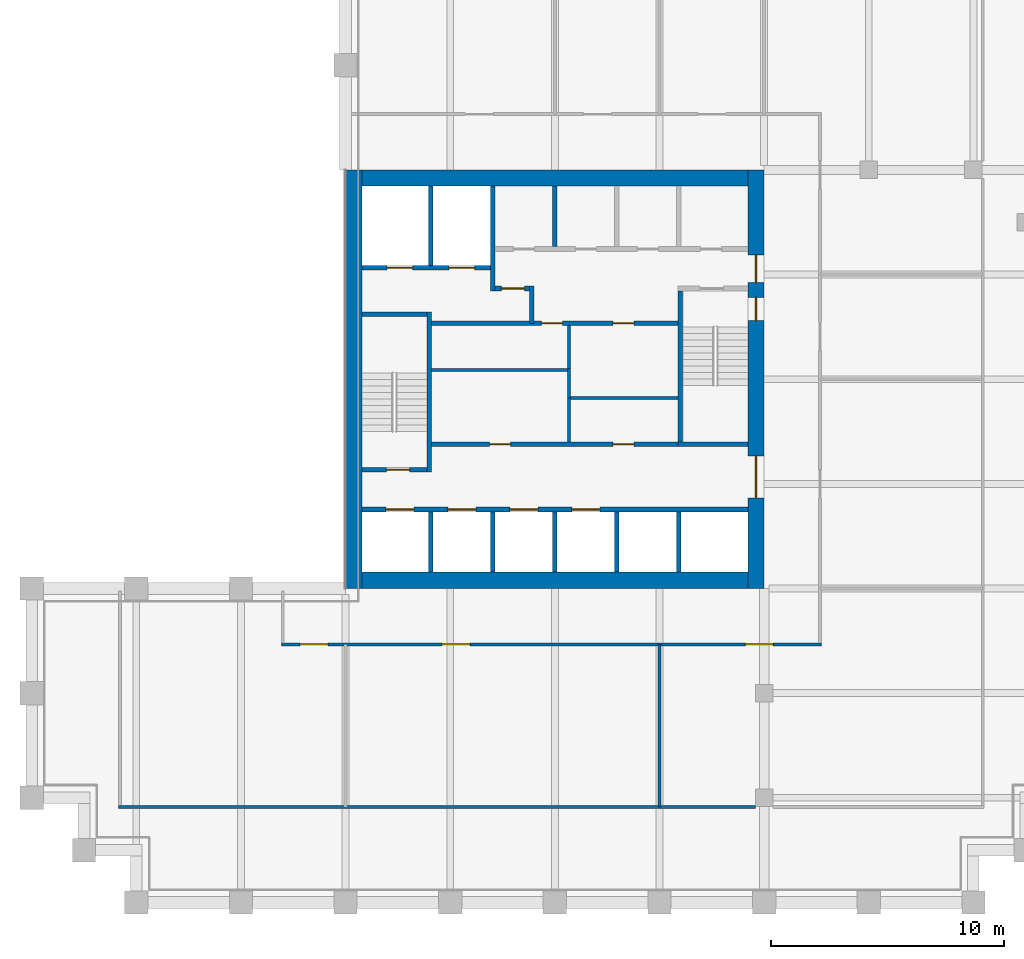
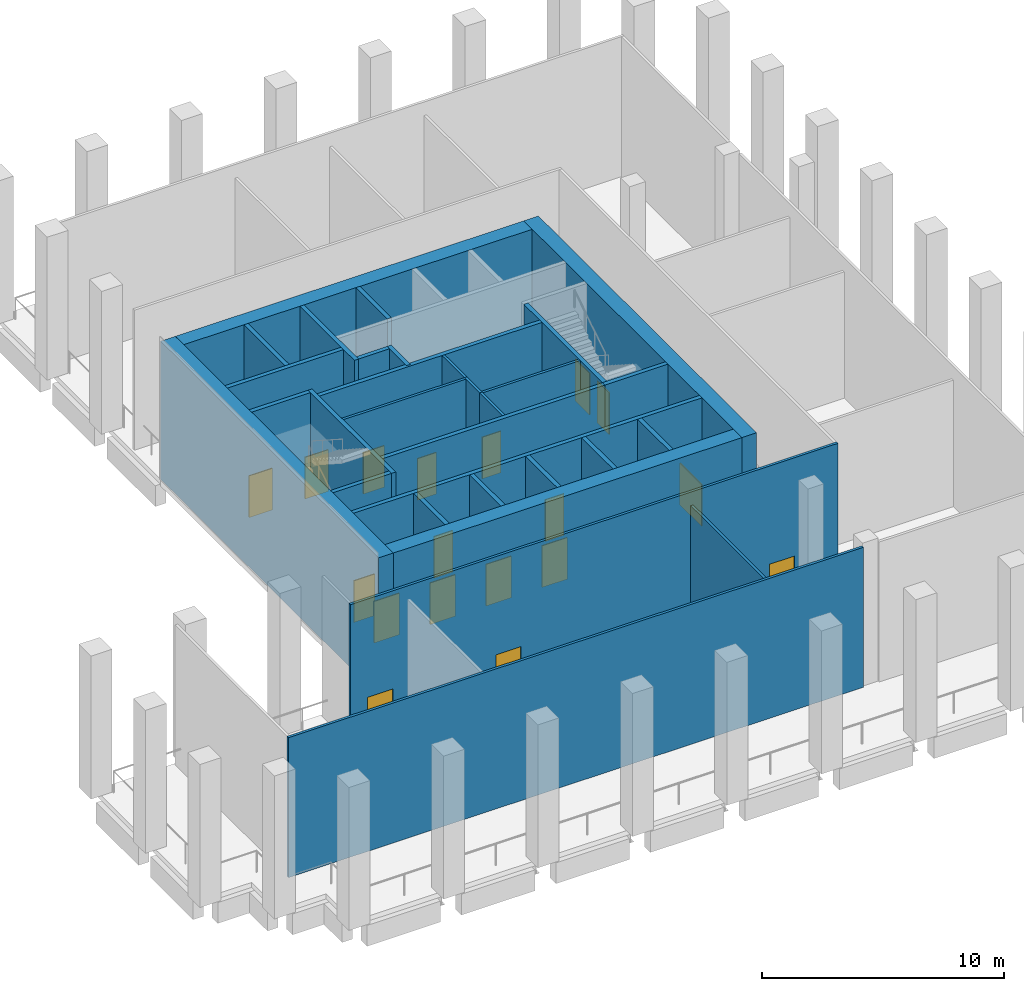
# One storey, part 3 of 9: 31 walls, 18 doors, 18 openings.
"""IFC4 building model written with IfcOpenShell, lengths in metres."""

from ifc_helpers import new_model, si_unit, direction, frame, frame_2d, origin, place, context, subcontext, project, spatial, rectangle, extrude, material, layer, layer_set, type_object, element, fill, save


model = new_model("IFC4")

# Units and contexts
model_context = context("Model", 3, precision=1e-05, world=origin(), true_north=direction((0.0, 1.0)))
body_context = subcontext(model_context, "Body", "Model", "MODEL_VIEW")
ifc_project = project(units=[si_unit("LENGTHUNIT", "METRE"), si_unit("AREAUNIT", "SQUARE_METRE"), si_unit("VOLUMEUNIT", "CUBIC_METRE"), si_unit("PLANEANGLEUNIT", "RADIAN"), si_unit("MASSUNIT", "GRAM", prefix="KILO")], contexts=[model_context])

# Site, building, storey
site_placement = place(None, origin())
site = spatial("IfcSite", under=ifc_project, at=site_placement, CompositionType="ELEMENT")
building_placement = place(site_placement, origin())
building = spatial("IfcBuilding", under=site, at=building_placement, Name="Altepetl Exchange Towers", CompositionType="ELEMENT")
storey_placement = place(building_placement, frame((0.0, 0.0, 113.60009765625)))
storey = spatial("IfcBuildingStorey", under=building, at=storey_placement, Name="L28 Wind floor plant", CompositionType="ELEMENT", Elevation=113.60009765625)

# Wall, openings, doors
ifc_material_1 = material(Name="Concrete C70/85", Category="concrete")
ifc_layer_1 = layer(ifc_material_1, 0.699951171875)
ifc_layer_set_1 = layer_set([ifc_layer_1], Name="Concrete C70/85")
wall_type_1 = type_object("IfcWallType", Name="Core wall 700 reinforced concrete", PredefinedType="SHEAR", material=ifc_layer_set_1)
wall_1_placement = place(storey_placement, frame((58.14990234375, 40.5, 0.0), z_axis=(0.0, 0.0, 1.0), x_axis=(0.0, 1.0, 0.0)))
wall_1 = element("IfcWall", 1, at=wall_1_placement, inside=storey, type_object=wall_type_1, Name="wall:A:L28:K-coreE", PredefinedType="SHEAR", context=body_context, shape_type="SweptSolid", body=[
    extrude(rectangle(XDim=18.0, YDim=0.699951171875, at=frame_2d((9.0, 0.0))), origin(), (0.0, 0.0, 1.0), 6.949951171875),
])
opening_1_placement = place(wall_1_placement, frame((13.14990234375, 0.0, 0.0)))
opening_1 = element("IfcOpeningElement", 2, at=opening_1_placement, cuts=wall_1, Name="Opening L28.A60", PredefinedType="OPENING", context=body_context, shape_type="SweptSolid", body=[
    extrude(rectangle(XDim=1.199951171875, YDim=2.10009765625, at=frame_2d((0.60009765625, 1.050048828125))), frame((0.0, 0.35986328125, 0.0), z_axis=(0.0, -1.0, 0.0), x_axis=(1.0, 0.0, 0.0)), (0.0, 0.0, 1.0), 0.719970703125),
])
opening_2_placement = place(wall_1_placement, frame((3.89990234375, 0.0, 0.0)))
opening_2 = element("IfcOpeningElement", 3, at=opening_2_placement, cuts=wall_1, Name="Opening L28.A61", PredefinedType="OPENING", context=body_context, shape_type="SweptSolid", body=[
    extrude(rectangle(XDim=1.800048828125, YDim=2.10009765625, at=frame_2d((0.89990234375, 1.050048828125))), frame((0.0, 0.35986328125, 0.0), z_axis=(0.0, -1.0, 0.0), x_axis=(1.0, 0.0, 0.0)), (0.0, 0.0, 1.0), 0.719970703125),
])
opening_3_placement = place(wall_1_placement, frame((11.52490234375, 0.0, 0.0)))
opening_3 = element("IfcOpeningElement", 4, at=opening_3_placement, cuts=wall_1, Name="Opening L28.A64", PredefinedType="OPENING", context=body_context, shape_type="SweptSolid", body=[
    extrude(rectangle(XDim=1.0, YDim=2.10009765625, at=frame_2d((0.5, 1.050048828125))), frame((0.0, 0.35986328125, 0.0), z_axis=(0.0, -1.0, 0.0), x_axis=(1.0, 0.0, 0.0)), (0.0, 0.0, 1.0), 0.719970703125),
])
ifc_material_2 = material(Name="Steel and timber fire door", Category="steel")
door_type_1 = type_object("IfcDoorType", Name="Fire door 1000 x 2100 stair and lobby", OperationType="SINGLE_SWING_LEFT", PredefinedType="DOOR", material=ifc_material_2)
door_1_placement = place(opening_3_placement, origin())
door_1 = element("IfcDoor", 5, at=door_1_placement, inside=storey, type_object=door_type_1, Name="door:A:L28:K-dS2x", OperationType="SINGLE_SWING_RIGHT", OverallHeight=2.10009765625, OverallWidth=1.0, PredefinedType="DOOR", context=body_context, shape_type="SweptSolid", body=[
    extrude(rectangle(XDim=1.0, YDim=2.10009765625, at=frame_2d((0.5, 1.050048828125))), frame((0.0, 0.02490234375, 0.0), z_axis=(0.0, -1.0, 0.0), x_axis=(1.0, 0.0, 0.0)), (0.0, 0.0, 1.0), 0.050048828125),
])
fill(opening_3, door_1)
door_type_2 = type_object("IfcDoorType", Name="Fire door 1200 x 2100 lobby entry", OperationType="SINGLE_SWING_LEFT", PredefinedType="DOOR", material=ifc_material_2)
door_2_placement = place(opening_1_placement, origin())
door_2 = element("IfcDoor", 6, at=door_2_placement, inside=storey, type_object=door_type_2, Name="door:A:L28:K-dLNE", OperationType="SINGLE_SWING_RIGHT", OverallHeight=2.10009765625, OverallWidth=1.199951171875, PredefinedType="DOOR", context=body_context, shape_type="SweptSolid", body=[
    extrude(rectangle(XDim=1.199951171875, YDim=2.10009765625, at=frame_2d((0.60009765625, 1.050048828125))), frame((0.0, 0.02490234375, 0.0), z_axis=(0.0, -1.0, 0.0), x_axis=(1.0, 0.0, 0.0)), (0.0, 0.0, 1.0), 0.050048828125),
])
fill(opening_1, door_2)
door_type_3 = type_object("IfcDoorType", Name="Fire door 1800 x 2100 lobby entry", OperationType="DOUBLE_DOOR_SINGLE_SWING", PredefinedType="DOOR", material=ifc_material_2)
door_3_placement = place(opening_2_placement, origin())
door_3 = element("IfcDoor", 7, at=door_3_placement, inside=storey, type_object=door_type_3, Name="door:A:L28:K-dLSE", OperationType="DOUBLE_DOOR_SINGLE_SWING", OverallHeight=2.10009765625, OverallWidth=1.800048828125, PredefinedType="DOOR", context=body_context, shape_type="SweptSolid", body=[
    extrude(rectangle(XDim=1.800048828125, YDim=2.10009765625, at=frame_2d((0.89990234375, 1.050048828125))), frame((0.0, 0.02490234375, 0.0), z_axis=(0.0, -1.0, 0.0), x_axis=(1.0, 0.0, 0.0)), (0.0, 0.0, 1.0), 0.050048828125),
])
fill(opening_2, door_3)

# Walls
for number, where, name in (
    (8, (41.199951171875, 58.14990234375, 0.0), "wall:A:L28:K-coreN"),
    (9, (41.199951171875, 40.85009765625, 0.0), "wall:A:L28:K-coreS"),
):
    element("IfcWall", number, at=place(storey_placement, frame(where)), inside=storey, type_object=wall_type_1, Name=name, PredefinedType="SHEAR", context=body_context, shape_type="SweptSolid", body=[
        extrude(rectangle(XDim=16.60009765625, YDim=0.699951171875, at=frame_2d((8.300048828125, 0.0))), origin(), (0.0, 0.0, 1.0), 6.949951171875),
    ])
ifc_layer_2 = layer(ifc_material_1, 0.699951171875)
ifc_layer_set_2 = layer_set([ifc_layer_2], Name="Concrete C70/85")
wall_type_2 = type_object("IfcWallType", Name="Core wall 700 reinforced concrete external", PredefinedType="SHEAR", material=ifc_layer_set_2)
wall_2_placement = place(storey_placement, frame((40.85009765625, 40.5, 0.0), z_axis=(0.0, 0.0, 1.0), x_axis=(0.0, 1.0, 0.0)))
element("IfcWall", 10, at=wall_2_placement, inside=storey, type_object=wall_type_2, Name="wall:A:L28:K-coreW", PredefinedType="SHEAR", context=body_context, shape_type="SweptSolid", body=[
    extrude(rectangle(XDim=18.0, YDim=0.699951171875, at=frame_2d((9.0, 0.0))), origin(), (0.0, 0.0, 1.0), 6.949951171875),
])
ifc_material_3 = material(Name="Concrete blockwork", Category="masonry")
ifc_layer_3 = layer(ifc_material_3, 0.199951171875)
ifc_layer_set_3 = layer_set([ifc_layer_3], Name="Concrete blockwork")
wall_type_3 = type_object("IfcWallType", Name="Lobby wall 200 blockwork", PredefinedType="PARTITIONING", material=ifc_layer_set_3)
wall_3_placement = place(storey_placement, frame((48.5, 51.89990234375, 0.0), z_axis=(0.0, 0.0, 1.0), x_axis=(0.0, 1.0, 0.0)))
element("IfcWall", 11, at=wall_3_placement, inside=storey, type_object=wall_type_3, Name="wall:A:L28:K-ffE", PredefinedType="PARTITIONING", context=body_context, shape_type="SweptSolid", body=[
    extrude(rectangle(XDim=1.60009765625, YDim=0.199951171875, at=frame_2d((0.800048828125, 0.0))), origin(), (0.0, 0.0, 1.0), 6.949951171875),
])

# Wall, opening, door
wall_4_placement = place(storey_placement, frame((46.933349609375, 53.39990234375, 0.0)))
wall_4 = element("IfcWall", 12, at=wall_4_placement, inside=storey, type_object=wall_type_3, Name="wall:A:L28:K-ffN", PredefinedType="PARTITIONING", context=body_context, shape_type="SweptSolid", body=[
    extrude(rectangle(XDim=1.466552734375, YDim=0.199951171875, at=frame_2d((0.7333984375, 0.0))), origin(), (0.0, 0.0, 1.0), 6.949951171875),
])
opening_4_placement = place(wall_4_placement, frame((0.2666015625, 0.0, 0.0)))
opening_4 = element("IfcOpeningElement", 13, at=opening_4_placement, cuts=wall_4, Name="Opening L28.A65", PredefinedType="OPENING", context=body_context, shape_type="SweptSolid", body=[
    extrude(rectangle(XDim=1.0, YDim=2.10009765625, at=frame_2d((0.5, 1.050048828125))), frame((0.0, 0.10986328125, 0.0), z_axis=(0.0, -1.0, 0.0), x_axis=(1.0, 0.0, 0.0)), (0.0, 0.0, 1.0), 0.219970703125),
])
door_4_placement = place(opening_4_placement, frame((1.0, 0.0, 0.0), x_axis=(-1.0, 0.0, 0.0)))
door_4 = element("IfcDoor", 14, at=door_4_placement, inside=storey, type_object=door_type_1, Name="door:A:L28:K-dffN", OperationType="SINGLE_SWING_RIGHT", OverallHeight=2.10009765625, OverallWidth=1.0, PredefinedType="DOOR", context=body_context, shape_type="SweptSolid", body=[
    extrude(rectangle(XDim=1.0, YDim=2.10009765625, at=frame_2d((0.5, 1.050048828125))), frame((0.0, 0.02490234375, 0.0), z_axis=(0.0, -1.0, 0.0), x_axis=(1.0, 0.0, 0.0)), (0.0, 0.0, 1.0), 0.050048828125),
])
fill(opening_4, door_4)

# Wall, openings, doors
wall_5_placement = place(storey_placement, frame((44.199951171875, 51.89990234375, 0.0)))
wall_5 = element("IfcWall", 15, at=wall_5_placement, inside=storey, type_object=wall_type_3, Name="wall:A:L28:K-zoneN", PredefinedType="PARTITIONING", context=body_context, shape_type="SweptSolid", body=[
    extrude(rectangle(XDim=10.60009765625, YDim=0.199951171875, at=frame_2d((5.300048828125, 0.0))), origin(), (0.0, 0.0, 1.0), 6.949951171875),
])
opening_5_placement = place(wall_5_placement, frame((4.72509765625, 0.0, 0.0)))
opening_5 = element("IfcOpeningElement", 16, at=opening_5_placement, cuts=wall_5, Name="Opening L28.A71", PredefinedType="OPENING", context=body_context, shape_type="SweptSolid", body=[
    extrude(rectangle(XDim=0.89990234375, YDim=2.10009765625, at=frame_2d((0.449951171875, 1.050048828125))), frame((0.0, 0.10986328125, 0.0), z_axis=(0.0, -1.0, 0.0), x_axis=(1.0, 0.0, 0.0)), (0.0, 0.0, 1.0), 0.219970703125),
])
opening_6_placement = place(wall_5_placement, frame((7.800048828125, 0.0, 0.0)))
opening_6 = element("IfcOpeningElement", 17, at=opening_6_placement, cuts=wall_5, Name="Opening L28.A73", PredefinedType="OPENING", context=body_context, shape_type="SweptSolid", body=[
    extrude(rectangle(XDim=0.89990234375, YDim=2.10009765625, at=frame_2d((0.449951171875, 1.050048828125))), frame((0.0, 0.10986328125, 0.0), z_axis=(0.0, -1.0, 0.0), x_axis=(1.0, 0.0, 0.0)), (0.0, 0.0, 1.0), 0.219970703125),
])
door_type_4 = type_object("IfcDoorType", Name="Fire door 900 x 2100 service room", OperationType="SINGLE_SWING_LEFT", PredefinedType="DOOR", material=ifc_material_2)
door_5_placement = place(opening_5_placement, frame((0.89990234375, 0.0, 0.0), x_axis=(-1.0, 0.0, 0.0)))
door_5 = element("IfcDoor", 18, at=door_5_placement, inside=storey, type_object=door_type_4, Name="door:A:L28:K-dz2", OperationType="SINGLE_SWING_RIGHT", OverallHeight=2.10009765625, OverallWidth=0.89990234375, PredefinedType="DOOR", context=body_context, shape_type="SweptSolid", body=[
    extrude(rectangle(XDim=0.89990234375, YDim=2.10009765625, at=frame_2d((0.449951171875, 1.050048828125))), frame((0.0, 0.02490234375, 0.0), z_axis=(0.0, -1.0, 0.0), x_axis=(1.0, 0.0, 0.0)), (0.0, 0.0, 1.0), 0.050048828125),
])
fill(opening_5, door_5)
door_6_placement = place(opening_6_placement, frame((0.89990234375, 0.0, 0.0), x_axis=(-1.0, 0.0, 0.0)))
door_6 = element("IfcDoor", 19, at=door_6_placement, inside=storey, type_object=door_type_4, Name="door:A:L28:K-dz4", OperationType="SINGLE_SWING_LEFT", OverallHeight=2.10009765625, OverallWidth=0.89990234375, PredefinedType="DOOR", context=body_context, shape_type="SweptSolid", body=[
    extrude(rectangle(XDim=0.89990234375, YDim=2.10009765625, at=frame_2d((0.449951171875, 1.050048828125))), frame((0.0, 0.02490234375, 0.0), z_axis=(0.0, -1.0, 0.0), x_axis=(1.0, 0.0, 0.0)), (0.0, 0.0, 1.0), 0.050048828125),
])
fill(opening_6, door_6)

wall_6_placement = place(storey_placement, frame((44.199951171875, 46.699951171875, 0.0)))
wall_6 = element("IfcWall", 20, at=wall_6_placement, inside=storey, type_object=wall_type_3, Name="wall:A:L28:K-zoneS", PredefinedType="PARTITIONING", context=body_context, shape_type="SweptSolid", body=[
    extrude(rectangle(XDim=10.60009765625, YDim=0.199951171875, at=frame_2d((5.300048828125, 0.0))), origin(), (0.0, 0.0, 1.0), 6.949951171875),
])
opening_7_placement = place(wall_6_placement, frame((2.5, 0.0, 0.0)))
opening_7 = element("IfcOpeningElement", 21, at=opening_7_placement, cuts=wall_6, Name="Opening L28.A70", PredefinedType="OPENING", context=body_context, shape_type="SweptSolid", body=[
    extrude(rectangle(XDim=0.89990234375, YDim=2.10009765625, at=frame_2d((0.449951171875, 1.050048828125))), frame((0.0, 0.10986328125, 0.0), z_axis=(0.0, -1.0, 0.0), x_axis=(1.0, 0.0, 0.0)), (0.0, 0.0, 1.0), 0.219970703125),
])
opening_8_placement = place(wall_6_placement, frame((7.800048828125, 0.0, 0.0)))
opening_8 = element("IfcOpeningElement", 22, at=opening_8_placement, cuts=wall_6, Name="Opening L28.A72", PredefinedType="OPENING", context=body_context, shape_type="SweptSolid", body=[
    extrude(rectangle(XDim=0.89990234375, YDim=2.10009765625, at=frame_2d((0.449951171875, 1.050048828125))), frame((0.0, 0.10986328125, 0.0), z_axis=(0.0, -1.0, 0.0), x_axis=(1.0, 0.0, 0.0)), (0.0, 0.0, 1.0), 0.219970703125),
])
door_7_placement = place(opening_7_placement, origin())
door_7 = element("IfcDoor", 23, at=door_7_placement, inside=storey, type_object=door_type_4, Name="door:A:L28:K-dz1", OperationType="SINGLE_SWING_RIGHT", OverallHeight=2.10009765625, OverallWidth=0.89990234375, PredefinedType="DOOR", context=body_context, shape_type="SweptSolid", body=[
    extrude(rectangle(XDim=0.89990234375, YDim=2.10009765625, at=frame_2d((0.449951171875, 1.050048828125))), frame((0.0, 0.02490234375, 0.0), z_axis=(0.0, -1.0, 0.0), x_axis=(1.0, 0.0, 0.0)), (0.0, 0.0, 1.0), 0.050048828125),
])
fill(opening_7, door_7)
door_8_placement = place(opening_8_placement, origin())
door_8 = element("IfcDoor", 24, at=door_8_placement, inside=storey, type_object=door_type_4, Name="door:A:L28:K-dz3", OperationType="SINGLE_SWING_RIGHT", OverallHeight=2.10009765625, OverallWidth=0.89990234375, PredefinedType="DOOR", context=body_context, shape_type="SweptSolid", body=[
    extrude(rectangle(XDim=0.89990234375, YDim=2.10009765625, at=frame_2d((0.449951171875, 1.050048828125))), frame((0.0, 0.02490234375, 0.0), z_axis=(0.0, -1.0, 0.0), x_axis=(1.0, 0.0, 0.0)), (0.0, 0.0, 1.0), 0.050048828125),
])
fill(opening_8, door_8)

# Walls
ifc_material_4 = material(Name="Gypsum board on steel studs", Category="steel")
ifc_layer_4 = layer(ifc_material_4, 0.125)
ifc_layer_set_4 = layer_set([ifc_layer_4], Name="Gypsum board on steel studs")
wall_type_4 = type_object("IfcWallType", Name="Partition 125 gypsum board on steel studs", PredefinedType="PARTITIONING", material=ifc_layer_set_4)
wall_7_placement = place(storey_placement, frame((50.10009765625, 46.800048828125, 0.0), z_axis=(0.0, 0.0, 1.0), x_axis=(0.0, 1.0, 0.0)))
element("IfcWall", 25, at=wall_7_placement, inside=storey, type_object=wall_type_4, Name="wall:A:L28:K-zp1", PredefinedType="PARTITIONING", context=body_context, shape_type="SweptSolid", body=[
    extrude(rectangle(XDim=1.96240234375, YDim=0.125, at=frame_2d((0.981201171875, 0.0))), origin(), (0.0, 0.0, 1.0), 6.949951171875),
])
wall_8_placement = place(storey_placement, frame((54.800048828125, 48.699951171875, 0.0), z_axis=(0.0, 0.0, 1.0), x_axis=(-1.0, 0.0, 0.0)))
element("IfcWall", 26, at=wall_8_placement, inside=storey, type_object=wall_type_4, Name="wall:A:L28:K-zp2", PredefinedType="PARTITIONING", context=body_context, shape_type="SweptSolid", body=[
    extrude(rectangle(XDim=4.637451171875, YDim=0.125, at=frame_2d((2.31884765625, 0.0))), origin(), (0.0, 0.0, 1.0), 6.949951171875),
])
wall_9_placement = place(storey_placement, frame((50.10009765625, 48.699951171875, 0.0), z_axis=(0.0, 0.0, 1.0), x_axis=(0.0, 1.0, 0.0)))
element("IfcWall", 27, at=wall_9_placement, inside=storey, type_object=wall_type_4, Name="wall:A:L28:K-zp3", PredefinedType="PARTITIONING", context=body_context, shape_type="SweptSolid", body=[
    extrude(rectangle(XDim=1.262451171875, YDim=0.125, at=frame_2d((0.63134765625, 0.0))), origin(), (0.0, 0.0, 1.0), 6.949951171875),
])
wall_10_placement = place(storey_placement, frame((50.03759765625, 49.89990234375, 0.0), z_axis=(0.0, 0.0, 1.0), x_axis=(-1.0, 0.0, 0.0)))
element("IfcWall", 28, at=wall_10_placement, inside=storey, type_object=wall_type_4, Name="wall:A:L28:K-zp4", PredefinedType="PARTITIONING", context=body_context, shape_type="SweptSolid", body=[
    extrude(rectangle(XDim=5.837646484375, YDim=0.125, at=frame_2d((2.9189453125, 0.0))), origin(), (0.0, 0.0, 1.0), 6.949951171875),
])
wall_11_placement = place(storey_placement, frame((50.10009765625, 49.89990234375, 0.0), z_axis=(0.0, 0.0, 1.0), x_axis=(0.0, 1.0, 0.0)))
element("IfcWall", 29, at=wall_11_placement, inside=storey, type_object=wall_type_4, Name="wall:A:L28:K-zp5", PredefinedType="PARTITIONING", context=body_context, shape_type="SweptSolid", body=[
    extrude(rectangle(XDim=1.900146484375, YDim=0.125, at=frame_2d((0.9501953125, 0.0))), origin(), (0.0, 0.0, 1.0), 6.949951171875),
])
wall_12_placement = place(storey_placement, frame((30.737548828125, 31.10009765625, 0.0)))
element("IfcWall", 30, at=wall_12_placement, inside=storey, type_object=wall_type_4, Name="wall:A:L28:P01", PredefinedType="PARTITIONING", context=body_context, shape_type="SweptSolid", body=[
    extrude(rectangle(XDim=27.387451171875, YDim=0.125, at=frame_2d((13.69384765625, 0.0))), origin(), (0.0, 0.0, 1.0), 7.0498046875),
])

# Wall, openings, doors
wall_13_placement = place(storey_placement, frame((37.737548828125, 38.10009765625, 0.0)))
wall_13 = element("IfcWall", 31, at=wall_13_placement, inside=storey, type_object=wall_type_4, Name="wall:A:L28:P03", PredefinedType="PARTITIONING", context=body_context, shape_type="SweptSolid", body=[
    extrude(rectangle(XDim=23.224853515625, YDim=0.125, at=frame_2d((11.6123046875, 0.0))), origin(), (0.0, 0.0, 1.0), 7.0498046875),
])
opening_9_placement = place(wall_13_placement, frame((0.8125, 0.0, 0.0)))
opening_9 = element("IfcOpeningElement", 32, at=opening_9_placement, cuts=wall_13, Name="Opening L28.A01", PredefinedType="OPENING", context=body_context, shape_type="SweptSolid", body=[
    extrude(rectangle(XDim=1.199951171875, YDim=2.10009765625, at=frame_2d((0.60009765625, 1.050048828125))), frame((0.0, 0.072509765625, 0.0), z_axis=(0.0, -1.0, 0.0), x_axis=(1.0, 0.0, 0.0)), (0.0, 0.0, 1.0), 0.14501953125),
])
opening_10_placement = place(wall_13_placement, frame((6.91748046875, 0.0, 0.0)))
opening_10 = element("IfcOpeningElement", 33, at=opening_10_placement, cuts=wall_13, Name="Opening L28.A02", PredefinedType="OPENING", context=body_context, shape_type="SweptSolid", body=[
    extrude(rectangle(XDim=1.199951171875, YDim=2.10009765625, at=frame_2d((0.60009765625, 1.050048828125))), frame((0.0, 0.072509765625, 0.0), z_axis=(0.0, -1.0, 0.0), x_axis=(1.0, 0.0, 0.0)), (0.0, 0.0, 1.0), 0.14501953125),
])
opening_11_placement = place(wall_13_placement, frame((19.952392578125, 0.0, 0.0)))
opening_11 = element("IfcOpeningElement", 34, at=opening_11_placement, cuts=wall_13, Name="Opening L28.A03", PredefinedType="OPENING", context=body_context, shape_type="SweptSolid", body=[
    extrude(rectangle(XDim=1.199951171875, YDim=2.10009765625, at=frame_2d((0.60009765625, 1.050048828125))), frame((0.0, 0.072509765625, 0.0), z_axis=(0.0, -1.0, 0.0), x_axis=(1.0, 0.0, 0.0)), (0.0, 0.0, 1.0), 0.14501953125),
])
door_type_5 = type_object("IfcDoorType", Name="Fire door 1200 x 2100 plant and refuge", OperationType="SINGLE_SWING_LEFT", PredefinedType="DOOR", material=ifc_material_2)
door_9_placement = place(opening_9_placement, frame((1.199951171875, 0.0, 0.0), x_axis=(-1.0, 0.0, 0.0)))
door_9 = element("IfcDoor", 35, at=door_9_placement, inside=storey, type_object=door_type_5, Name="door:A:L28:01", OperationType="SINGLE_SWING_RIGHT", OverallHeight=2.10009765625, OverallWidth=1.199951171875, PredefinedType="DOOR", context=body_context, shape_type="SweptSolid", body=[
    extrude(rectangle(XDim=1.199951171875, YDim=2.10009765625, at=frame_2d((0.60009765625, 1.050048828125))), frame((0.0, 0.02490234375, 0.0), z_axis=(0.0, -1.0, 0.0), x_axis=(1.0, 0.0, 0.0)), (0.0, 0.0, 1.0), 0.050048828125),
])
fill(opening_9, door_9)
door_10_placement = place(opening_10_placement, frame((1.199951171875, 0.0, 0.0), x_axis=(-1.0, 0.0, 0.0)))
door_10 = element("IfcDoor", 36, at=door_10_placement, inside=storey, type_object=door_type_5, Name="door:A:L28:02", OperationType="SINGLE_SWING_LEFT", OverallHeight=2.10009765625, OverallWidth=1.199951171875, PredefinedType="DOOR", context=body_context, shape_type="SweptSolid", body=[
    extrude(rectangle(XDim=1.199951171875, YDim=2.10009765625, at=frame_2d((0.60009765625, 1.050048828125))), frame((0.0, 0.02490234375, 0.0), z_axis=(0.0, -1.0, 0.0), x_axis=(1.0, 0.0, 0.0)), (0.0, 0.0, 1.0), 0.050048828125),
])
fill(opening_10, door_10)
door_11_placement = place(opening_11_placement, frame((1.199951171875, 0.0, 0.0), x_axis=(-1.0, 0.0, 0.0)))
door_11 = element("IfcDoor", 37, at=door_11_placement, inside=storey, type_object=door_type_5, Name="door:A:L28:03", OperationType="SINGLE_SWING_RIGHT", OverallHeight=2.10009765625, OverallWidth=1.199951171875, PredefinedType="DOOR", context=body_context, shape_type="SweptSolid", body=[
    extrude(rectangle(XDim=1.199951171875, YDim=2.10009765625, at=frame_2d((0.60009765625, 1.050048828125))), frame((0.0, 0.02490234375, 0.0), z_axis=(0.0, -1.0, 0.0), x_axis=(1.0, 0.0, 0.0)), (0.0, 0.0, 1.0), 0.050048828125),
])
fill(opening_11, door_11)

# Walls
wall_14_placement = place(storey_placement, frame((54.0, 31.10009765625, 0.0), z_axis=(0.0, 0.0, 1.0), x_axis=(0.0, 1.0, 0.0)))
element("IfcWall", 38, at=wall_14_placement, inside=storey, type_object=wall_type_4, Name="wall:A:L28:P13", PredefinedType="PARTITIONING", context=body_context, shape_type="SweptSolid", body=[
    extrude(rectangle(XDim=7.0, YDim=0.125, at=frame_2d((3.5, 0.0))), origin(), (0.0, 0.0, 1.0), 6.365966796875),
])
ifc_material_5 = material(Name="Concrete C40/50", Category="concrete")
ifc_layer_5 = layer(ifc_material_5, 0.199951171875)
ifc_layer_set_5 = layer_set([ifc_layer_5], Name="Concrete C40/50")
wall_type_5 = type_object("IfcWallType", Name="Shaft wall 200 reinforced concrete", PredefinedType="SHEAR", material=ifc_layer_set_5)
wall_15_placement = place(storey_placement, frame((44.166748046875, 57.800048828125, 0.0), z_axis=(0.0, 0.0, 1.0), x_axis=(0.0, -1.0, 0.0)))
element("IfcWall", 39, at=wall_15_placement, inside=storey, type_object=wall_type_5, Name="wall:A:L28:K-divN1", PredefinedType="SHEAR", context=body_context, shape_type="SweptSolid", body=[
    extrude(rectangle(XDim=3.400146484375, YDim=0.199951171875, at=frame_2d((1.7001953125, 0.0))), origin(), (0.0, 0.0, 1.0), 6.949951171875),
])
wall_16_placement = place(storey_placement, frame((46.833251953125, 57.800048828125, 0.0), z_axis=(0.0, 0.0, 1.0), x_axis=(0.0, -1.0, 0.0)))
element("IfcWall", 40, at=wall_16_placement, inside=storey, type_object=wall_type_5, Name="wall:A:L28:K-divN2", PredefinedType="SHEAR", context=body_context, shape_type="SweptSolid", body=[
    extrude(rectangle(XDim=4.5, YDim=0.199951171875, at=frame_2d((2.25, 0.0))), origin(), (0.0, 0.0, 1.0), 6.949951171875),
])
for number, where, z_axis, x_axis, name in (
    (41, (49.5, 57.800048828125, 0.0), (0.0, 0.0, 1.0), (0.0, -1.0, 0.0), "wall:A:L28:K-divN3"),
    (42, (44.166748046875, 41.199951171875, 0.0), (0.0, 0.0, 1.0), (0.0, 1.0, 0.0), "wall:A:L28:K-divS1"),
    (43, (46.833251953125, 41.199951171875, 0.0), (0.0, 0.0, 1.0), (0.0, 1.0, 0.0), "wall:A:L28:K-divS2"),
    (44, (49.5, 41.199951171875, 0.0), (0.0, 0.0, 1.0), (0.0, 1.0, 0.0), "wall:A:L28:K-divS3"),
    (45, (52.166748046875, 41.199951171875, 0.0), (0.0, 0.0, 1.0), (0.0, 1.0, 0.0), "wall:A:L28:K-divS4"),
    (46, (54.833251953125, 41.199951171875, 0.0), (0.0, 0.0, 1.0), (0.0, 1.0, 0.0), "wall:A:L28:K-divS5"),
):
    element("IfcWall", number, at=place(storey_placement, frame(where, z_axis=z_axis, x_axis=x_axis)), inside=storey, type_object=wall_type_5, Name=name, PredefinedType="SHEAR", context=body_context, shape_type="SweptSolid", body=[
        extrude(rectangle(XDim=2.60009765625, YDim=0.199951171875, at=frame_2d((1.300048828125, 0.0))), origin(), (0.0, 0.0, 1.0), 6.949951171875),
    ])

# Wall, openings, doors
wall_17_placement = place(storey_placement, frame((41.199951171875, 54.300048828125, 0.0)))
wall_17 = element("IfcWall", 47, at=wall_17_placement, inside=storey, type_object=wall_type_5, Name="wall:A:L28:K-frontNd", PredefinedType="SHEAR", context=body_context, shape_type="SweptSolid", body=[
    extrude(rectangle(XDim=5.533447265625, YDim=0.199951171875, at=frame_2d((2.7666015625, 0.0))), origin(), (0.0, 0.0, 1.0), 6.949951171875),
])
opening_12_placement = place(wall_17_placement, frame((1.083251953125, 0.0, 0.0)))
opening_12 = element("IfcOpeningElement", 48, at=opening_12_placement, cuts=wall_17, Name="Opening L28.A74", PredefinedType="OPENING", context=body_context, shape_type="SweptSolid", body=[
    extrude(rectangle(XDim=1.10009765625, YDim=2.10009765625, at=frame_2d((0.550048828125, 1.050048828125))), frame((0.0, 0.10986328125, 0.0), z_axis=(0.0, -1.0, 0.0), x_axis=(1.0, 0.0, 0.0)), (0.0, 0.0, 1.0), 0.219970703125),
])
opening_13_placement = place(wall_17_placement, frame((3.75, 0.0, 0.0)))
opening_13 = element("IfcOpeningElement", 49, at=opening_13_placement, cuts=wall_17, Name="Opening L28.A75", PredefinedType="OPENING", context=body_context, shape_type="SweptSolid", body=[
    extrude(rectangle(XDim=1.10009765625, YDim=2.10009765625, at=frame_2d((0.550048828125, 1.050048828125))), frame((0.0, 0.10986328125, 0.0), z_axis=(0.0, -1.0, 0.0), x_axis=(1.0, 0.0, 0.0)), (0.0, 0.0, 1.0), 0.219970703125),
])
ifc_material_6 = material(Name="Stainless steel", Category="steel")
door_type_6 = type_object("IfcDoorType", Name="Lift landing door 1100 x 2100", OperationType="SLIDING_TO_LEFT", PredefinedType="DOOR", material=ifc_material_6)
door_12_placement = place(opening_12_placement, origin())
door_12 = element("IfcDoor", 50, at=door_12_placement, inside=storey, type_object=door_type_6, Name="Landing door FFL1", OperationType="SLIDING_TO_LEFT", OverallHeight=2.10009765625, OverallWidth=1.10009765625, PredefinedType="DOOR", context=body_context, shape_type="SweptSolid", body=[
    extrude(rectangle(XDim=1.10009765625, YDim=2.10009765625, at=frame_2d((0.550048828125, 1.050048828125))), frame((0.0, 0.02490234375, 0.0), z_axis=(0.0, -1.0, 0.0), x_axis=(1.0, 0.0, 0.0)), (0.0, 0.0, 1.0), 0.050048828125),
])
fill(opening_12, door_12)
door_13_placement = place(opening_13_placement, origin())
door_13 = element("IfcDoor", 51, at=door_13_placement, inside=storey, type_object=door_type_6, Name="Landing door FFL2", OperationType="SLIDING_TO_LEFT", OverallHeight=2.10009765625, OverallWidth=1.10009765625, PredefinedType="DOOR", context=body_context, shape_type="SweptSolid", body=[
    extrude(rectangle(XDim=1.10009765625, YDim=2.10009765625, at=frame_2d((0.550048828125, 1.050048828125))), frame((0.0, 0.02490234375, 0.0), z_axis=(0.0, -1.0, 0.0), x_axis=(1.0, 0.0, 0.0)), (0.0, 0.0, 1.0), 0.050048828125),
])
fill(opening_13, door_13)

wall_18_placement = place(storey_placement, frame((41.199951171875, 43.89990234375, 0.0)))
wall_18 = element("IfcWall", 52, at=wall_18_placement, inside=storey, type_object=wall_type_5, Name="wall:A:L28:K-frontS", PredefinedType="SHEAR", context=body_context, shape_type="SweptSolid", body=[
    extrude(rectangle(XDim=16.60009765625, YDim=0.199951171875, at=frame_2d((8.300048828125, 0.0))), origin(), (0.0, 0.0, 1.0), 6.949951171875),
])
opening_14_placement = place(wall_18_placement, frame((1.033203125, 0.0, 0.0)))
opening_14 = element("IfcOpeningElement", 53, at=opening_14_placement, cuts=wall_18, Name="Opening L28.A76", PredefinedType="OPENING", context=body_context, shape_type="SweptSolid", body=[
    extrude(rectangle(XDim=1.199951171875, YDim=2.10009765625, at=frame_2d((0.60009765625, 1.050048828125))), frame((0.0, 0.10986328125, 0.0), z_axis=(0.0, -1.0, 0.0), x_axis=(1.0, 0.0, 0.0)), (0.0, 0.0, 1.0), 0.219970703125),
])
opening_15_placement = place(wall_18_placement, frame((3.699951171875, 0.0, 0.0)))
opening_15 = element("IfcOpeningElement", 54, at=opening_15_placement, cuts=wall_18, Name="Opening L28.A77", PredefinedType="OPENING", context=body_context, shape_type="SweptSolid", body=[
    extrude(rectangle(XDim=1.199951171875, YDim=2.10009765625, at=frame_2d((0.60009765625, 1.050048828125))), frame((0.0, 0.10986328125, 0.0), z_axis=(0.0, -1.0, 0.0), x_axis=(1.0, 0.0, 0.0)), (0.0, 0.0, 1.0), 0.219970703125),
])
opening_16_placement = place(wall_18_placement, frame((6.36669921875, 0.0, 0.0)))
opening_16 = element("IfcOpeningElement", 55, at=opening_16_placement, cuts=wall_18, Name="Opening L28.A78", PredefinedType="OPENING", context=body_context, shape_type="SweptSolid", body=[
    extrude(rectangle(XDim=1.199951171875, YDim=2.10009765625, at=frame_2d((0.60009765625, 1.050048828125))), frame((0.0, 0.10986328125, 0.0), z_axis=(0.0, -1.0, 0.0), x_axis=(1.0, 0.0, 0.0)), (0.0, 0.0, 1.0), 0.219970703125),
])
opening_17_placement = place(wall_18_placement, frame((9.033203125, 0.0, 0.0)))
opening_17 = element("IfcOpeningElement", 56, at=opening_17_placement, cuts=wall_18, Name="Opening L28.A79", PredefinedType="OPENING", context=body_context, shape_type="SweptSolid", body=[
    extrude(rectangle(XDim=1.199951171875, YDim=2.10009765625, at=frame_2d((0.60009765625, 1.050048828125))), frame((0.0, 0.10986328125, 0.0), z_axis=(0.0, -1.0, 0.0), x_axis=(1.0, 0.0, 0.0)), (0.0, 0.0, 1.0), 0.219970703125),
])
door_type_7 = type_object("IfcDoorType", Name="Lift landing door 1200 x 2100", OperationType="SLIDING_TO_LEFT", PredefinedType="DOOR", material=ifc_material_6)
door_14_placement = place(opening_14_placement, origin())
door_14 = element("IfcDoor", 57, at=door_14_placement, inside=storey, type_object=door_type_7, Name="Landing door P1", OperationType="SLIDING_TO_LEFT", OverallHeight=2.10009765625, OverallWidth=1.199951171875, PredefinedType="DOOR", context=body_context, shape_type="SweptSolid", body=[
    extrude(rectangle(XDim=1.199951171875, YDim=2.10009765625, at=frame_2d((0.60009765625, 1.050048828125))), frame((0.0, 0.02490234375, 0.0), z_axis=(0.0, -1.0, 0.0), x_axis=(1.0, 0.0, 0.0)), (0.0, 0.0, 1.0), 0.050048828125),
])
fill(opening_14, door_14)
door_15_placement = place(opening_15_placement, origin())
door_15 = element("IfcDoor", 58, at=door_15_placement, inside=storey, type_object=door_type_7, Name="Landing door P2", OperationType="SLIDING_TO_LEFT", OverallHeight=2.10009765625, OverallWidth=1.199951171875, PredefinedType="DOOR", context=body_context, shape_type="SweptSolid", body=[
    extrude(rectangle(XDim=1.199951171875, YDim=2.10009765625, at=frame_2d((0.60009765625, 1.050048828125))), frame((0.0, 0.02490234375, 0.0), z_axis=(0.0, -1.0, 0.0), x_axis=(1.0, 0.0, 0.0)), (0.0, 0.0, 1.0), 0.050048828125),
])
fill(opening_15, door_15)
door_16_placement = place(opening_16_placement, origin())
door_16 = element("IfcDoor", 59, at=door_16_placement, inside=storey, type_object=door_type_7, Name="Landing door P3", OperationType="SLIDING_TO_LEFT", OverallHeight=2.10009765625, OverallWidth=1.199951171875, PredefinedType="DOOR", context=body_context, shape_type="SweptSolid", body=[
    extrude(rectangle(XDim=1.199951171875, YDim=2.10009765625, at=frame_2d((0.60009765625, 1.050048828125))), frame((0.0, 0.02490234375, 0.0), z_axis=(0.0, -1.0, 0.0), x_axis=(1.0, 0.0, 0.0)), (0.0, 0.0, 1.0), 0.050048828125),
])
fill(opening_16, door_16)
door_17_placement = place(opening_17_placement, origin())
door_17 = element("IfcDoor", 60, at=door_17_placement, inside=storey, type_object=door_type_7, Name="Landing door P4", OperationType="SLIDING_TO_LEFT", OverallHeight=2.10009765625, OverallWidth=1.199951171875, PredefinedType="DOOR", context=body_context, shape_type="SweptSolid", body=[
    extrude(rectangle(XDim=1.199951171875, YDim=2.10009765625, at=frame_2d((0.60009765625, 1.050048828125))), frame((0.0, 0.02490234375, 0.0), z_axis=(0.0, -1.0, 0.0), x_axis=(1.0, 0.0, 0.0)), (0.0, 0.0, 1.0), 0.050048828125),
])
fill(opening_17, door_17)

# Walls
ifc_layer_6 = layer(ifc_material_5, 0.199951171875)
ifc_layer_set_6 = layer_set([ifc_layer_6], Name="Concrete C40/50")
wall_type_6 = type_object("IfcWallType", Name="Stair wall 200 reinforced concrete", PredefinedType="SHEAR", material=ifc_layer_set_6)
wall_19_placement = place(storey_placement, frame((44.10009765625, 45.5, 0.0), z_axis=(0.0, 0.0, 1.0), x_axis=(0.0, 1.0, 0.0)))
element("IfcWall", 61, at=wall_19_placement, inside=storey, type_object=wall_type_6, Name="wall:A:L28:K-stS1E", PredefinedType="SHEAR", context=body_context, shape_type="SweptSolid", body=[
    extrude(rectangle(XDim=6.89990234375, YDim=0.199951171875, at=frame_2d((3.449951171875, 0.0))), origin(), (0.0, 0.0, 1.0), 6.949951171875),
])
wall_20_placement = place(storey_placement, frame((41.199951171875, 52.300048828125, 0.0)))
element("IfcWall", 62, at=wall_20_placement, inside=storey, type_object=wall_type_6, Name="wall:A:L28:K-stS1N", PredefinedType="SHEAR", context=body_context, shape_type="SweptSolid", body=[
    extrude(rectangle(XDim=2.800048828125, YDim=0.199951171875, at=frame_2d((1.39990234375, 0.0))), origin(), (0.0, 0.0, 1.0), 6.949951171875),
])

# Wall, opening, door
wall_21_placement = place(storey_placement, frame((41.199951171875, 45.60009765625, 0.0)))
wall_21 = element("IfcWall", 63, at=wall_21_placement, inside=storey, type_object=wall_type_6, Name="wall:A:L28:K-stS1S", PredefinedType="SHEAR", context=body_context, shape_type="SweptSolid", body=[
    extrude(rectangle(XDim=2.800048828125, YDim=0.199951171875, at=frame_2d((1.39990234375, 0.0))), origin(), (0.0, 0.0, 1.0), 6.949951171875),
])
opening_18_placement = place(wall_21_placement, frame((1.050048828125, 0.0, 0.0)))
opening_18 = element("IfcOpeningElement", 64, at=opening_18_placement, cuts=wall_21, Name="Opening L28.A62", PredefinedType="OPENING", context=body_context, shape_type="SweptSolid", body=[
    extrude(rectangle(XDim=1.0, YDim=2.10009765625, at=frame_2d((0.5, 1.050048828125))), frame((0.0, 0.10986328125, 0.0), z_axis=(0.0, -1.0, 0.0), x_axis=(1.0, 0.0, 0.0)), (0.0, 0.0, 1.0), 0.219970703125),
])
door_18_placement = place(opening_18_placement, origin())
door_18 = element("IfcDoor", 65, at=door_18_placement, inside=storey, type_object=door_type_1, Name="door:A:L28:K-dS1in", OperationType="SINGLE_SWING_RIGHT", OverallHeight=2.10009765625, OverallWidth=1.0, PredefinedType="DOOR", context=body_context, shape_type="SweptSolid", body=[
    extrude(rectangle(XDim=1.0, YDim=2.10009765625, at=frame_2d((0.5, 1.050048828125))), frame((0.0, 0.02490234375, 0.0), z_axis=(0.0, -1.0, 0.0), x_axis=(1.0, 0.0, 0.0)), (0.0, 0.0, 1.0), 0.050048828125),
])
fill(opening_18, door_18)

# Walls
wall_22_placement = place(storey_placement, frame((54.800048828125, 46.699951171875, 0.0)))
element("IfcWall", 66, at=wall_22_placement, inside=storey, type_object=wall_type_6, Name="wall:A:L28:K-stS2S", PredefinedType="SHEAR", context=body_context, shape_type="SweptSolid", body=[
    extrude(rectangle(XDim=3.0, YDim=0.199951171875, at=frame_2d((1.5, 0.0))), origin(), (0.0, 0.0, 1.0), 6.949951171875),
])
wall_23_placement = place(storey_placement, frame((54.89990234375, 46.800048828125, 0.0), z_axis=(0.0, 0.0, 1.0), x_axis=(0.0, 1.0, 0.0)))
element("IfcWall", 67, at=wall_23_placement, inside=storey, type_object=wall_type_6, Name="wall:A:L28:K-stS2W", PredefinedType="SHEAR", context=body_context, shape_type="SweptSolid", body=[
    extrude(rectangle(XDim=6.5, YDim=0.199951171875, at=frame_2d((3.25, 0.0))), origin(), (0.0, 0.0, 1.0), 6.949951171875),
])

save(model, "model.ifc")
